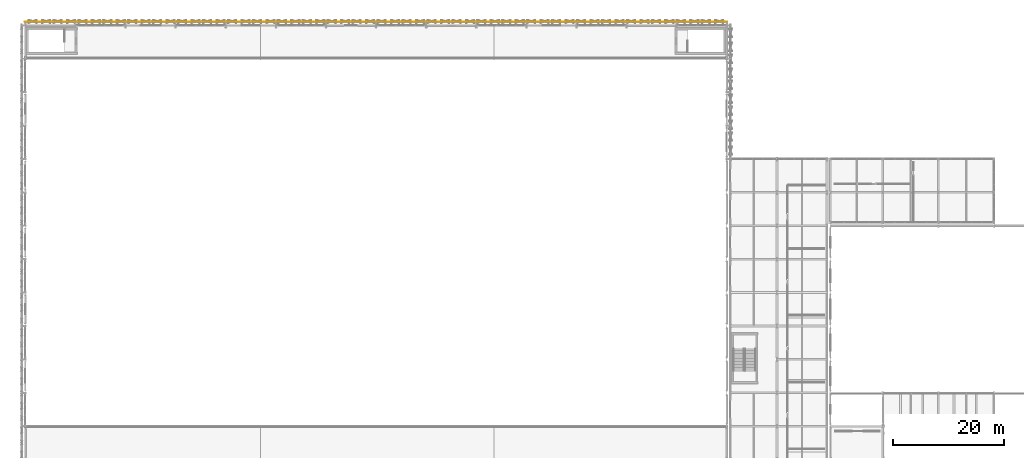
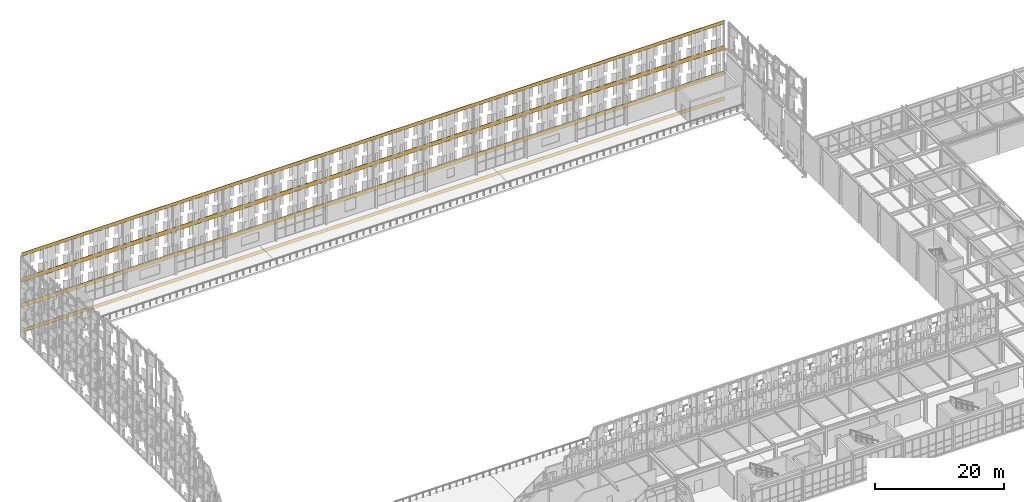
# One storey, part 199 of 210: 4 coverings.
"""IFC4 building model written with IfcOpenShell, lengths in metres."""

from ifc_helpers import new_model, si_unit, direction, frame, origin, origin_2d, place, context, subcontext, project, spatial, rectangle, extrude, material, layer, layer_set, type_object, element, save


model = new_model("IFC4")

# Units and contexts
model_context = context("Model", 3, precision=1e-05, world=origin(), true_north=direction((0.0, 1.0)))
body_context = subcontext(model_context, "Body", "Model", "MODEL_VIEW")
ifc_project = project(units=[si_unit("LENGTHUNIT", "METRE"), si_unit("AREAUNIT", "SQUARE_METRE"), si_unit("VOLUMEUNIT", "CUBIC_METRE"), si_unit("PLANEANGLEUNIT", "RADIAN"), si_unit("MASSUNIT", "GRAM", prefix="KILO")], contexts=[model_context])

# Site, building, storey
site_placement = place(None, origin())
site = spatial("IfcSite", under=ifc_project, at=site_placement, CompositionType="ELEMENT")
building_placement = place(site_placement, origin())
building = spatial("IfcBuilding", under=site, at=building_placement, Name="Kaldris Quays Convention Centre", CompositionType="ELEMENT")
storey_placement = place(building_placement, frame((0.0, 0.0, 6.0)))
storey = spatial("IfcBuildingStorey", under=building, at=storey_placement, Name="L01", CompositionType="ELEMENT", Elevation=6.0)

# Coverings
ifc_material = material(Name="Alabaster white star-pierced anodized aluminium panel", Category="aluminium")
ifc_layer = layer(ifc_material, 0.044921875)
ifc_layer_set = layer_set([ifc_layer], Name="Alabaster white star-pierced anodized aluminium panel")
covering_type = type_object("IfcCoveringType", Name="STAR PIERCED WHITE FOLDED SCREEN CL01", PredefinedType="CLADDING", material=ifc_layer_set)
covering_1_placement = place(storey_placement, frame((83.0, 140.64990234375, -2.18994140625), z_axis=(0.0, 0.0, 1.0), x_axis=(1.0, 0.0, 0.0)))
element("IfcCovering", 1, at=covering_1_placement, inside=storey, type_object=covering_type, Name="V1N White Screen Folded Band 567", PredefinedType="CLADDING", context=body_context, shape_type="SweptSolid", body=[
    extrude(rectangle(XDim=126.239990234375, YDim=0.054931640625, at=origin_2d()), origin(), (0.0, 0.0, 1.0), 0.679931640625),
])
for number, where, z_axis, x_axis, name in (
    (2, (83.0, 140.64990234375, 2.56298828125), (0.0, 0.0, 1.0), (1.0, 0.0, 0.0), "V1N White Screen Folded Band 568"),
    (3, (83.0, 140.64990234375, 7.39697265625), (0.0, 0.0, 1.0), (1.0, 0.0, 0.0), "V1N White Screen Folded Band 569"),
):
    element("IfcCovering", number, at=place(storey_placement, frame(where, z_axis=z_axis, x_axis=x_axis)), inside=storey, type_object=covering_type, Name=name, PredefinedType="CLADDING", context=body_context, shape_type="SweptSolid", body=[
        extrude(rectangle(XDim=126.239990234375, YDim=0.054931640625, at=origin_2d()), origin(), (0.0, 0.0, 1.0), 0.840087890625),
    ])
covering_2_placement = place(storey_placement, frame((83.0, 140.64990234375, 12.31005859375), z_axis=(0.0, 0.0, 1.0), x_axis=(1.0, 0.0, 0.0)))
element("IfcCovering", 4, at=covering_2_placement, inside=storey, type_object=covering_type, Name="V1N White Screen Folded Band 570", PredefinedType="CLADDING", context=body_context, shape_type="SweptSolid", body=[
    extrude(rectangle(XDim=126.239990234375, YDim=0.054931640625, at=origin_2d()), origin(), (0.0, 0.0, 1.0), 0.679931640625),
])

save(model, "model.ifc")
